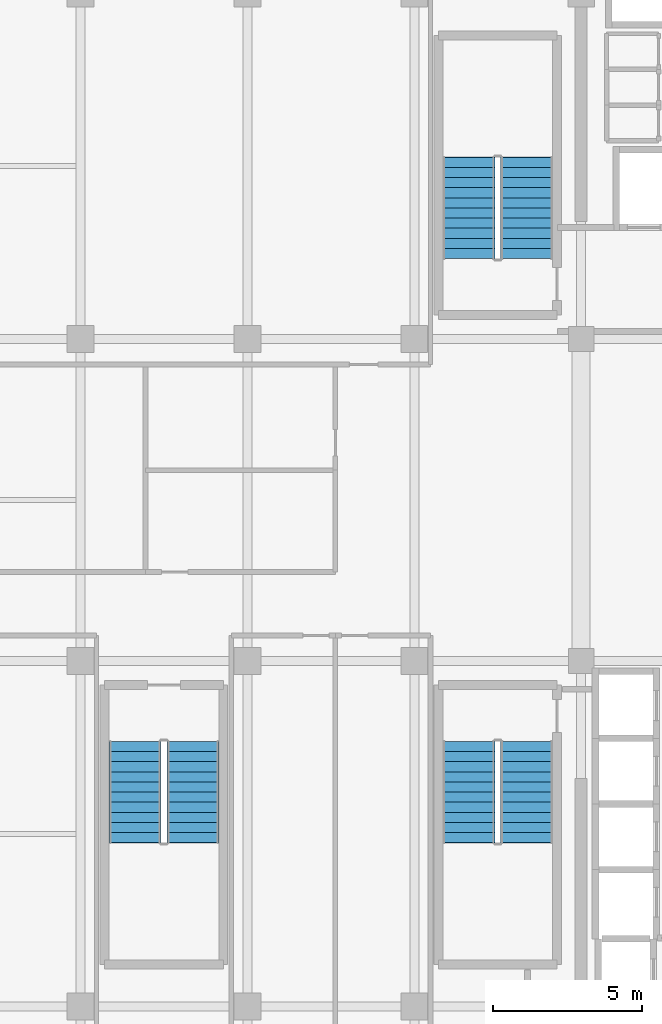
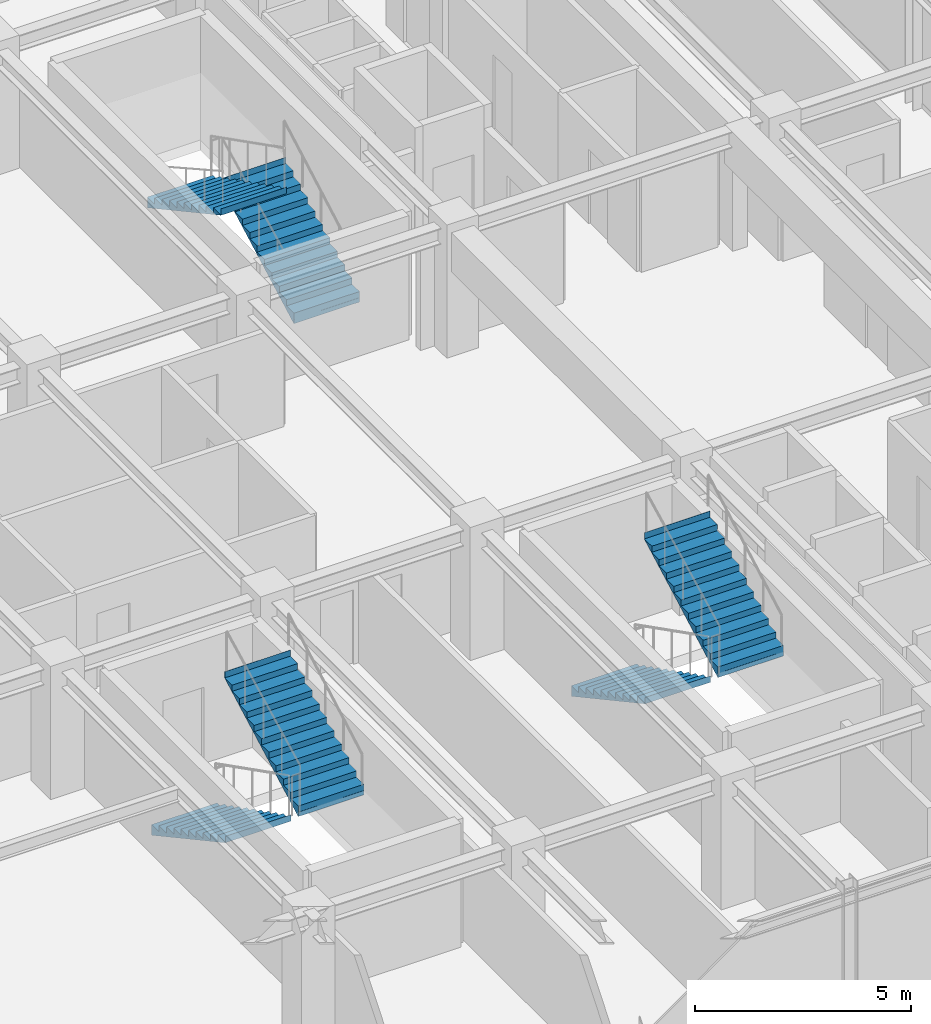
# One storey, part 27 of 31: 6 stair flights, 3 elements without a shape of their own.
"""IFC4 building model written with IfcOpenShell, lengths in metres."""

from ifc_helpers import new_model, si_unit, direction, frame, origin, place, context, subcontext, project, spatial, polyline, outline, extrude, source, transform, mapped, material, layer, layer_set, type_object, element, aggregate, save


model = new_model("IFC4")

# Units and contexts
model_context = context("Model", 3, precision=1e-05, world=origin(), true_north=direction((0.0, 1.0)))
body_context = subcontext(model_context, "Body", "Model", "MODEL_VIEW")
ifc_project = project(units=[si_unit("LENGTHUNIT", "METRE"), si_unit("AREAUNIT", "SQUARE_METRE"), si_unit("VOLUMEUNIT", "CUBIC_METRE"), si_unit("PLANEANGLEUNIT", "RADIAN"), si_unit("MASSUNIT", "GRAM", prefix="KILO")], contexts=[model_context])

# Site, building, storey
site_placement = place(None, origin())
site = spatial("IfcSite", under=ifc_project, at=site_placement, CompositionType="ELEMENT")
building_placement = place(site_placement, origin())
building = spatial("IfcBuilding", under=site, at=building_placement, Name="Nahalor Promenade Grand Hotel", CompositionType="ELEMENT")
storey_placement = place(building_placement, frame((0.0, 0.0, 327.14990234375)))
storey = spatial("IfcBuildingStorey", under=building, at=storey_placement, Name="L84", CompositionType="ELEMENT", Elevation=327.14990234375)

# Stair, stair flights
ifc_material = material(Name="Concrete B-50 (C40/50)", Category="concrete")
stair_type_1 = type_object("IfcStairType", Name="Stair-ST1", PredefinedType="HALF_TURN_STAIR", material=ifc_material)
stair_1_placement = place(storey_placement, origin())
stair_1 = element("IfcStair", 1, at=stair_1_placement, inside=storey, type_object=stair_type_1, Name="L84 ST1", PredefinedType="HALF_TURN_STAIR")
ifc_layer_1 = layer(ifc_material, 0.179931640625)
ifc_layer_set_1 = layer_set([ifc_layer_1], Name="Concrete B-50 (C40/50)")
stair_flight_type_1 = type_object("IfcStairFlightType", Name="Flight-ST1", PredefinedType="STRAIGHT", material=ifc_layer_set_1)
shared_shape_1 = source(origin(), body_context, "Body", "SweptSolid", [
    extrude(outline(polyline([(-0.00390625, -0.1201171875), (-0.00390625, 0.0), (0.0, 0.0), (0.0, 0.172607421875), (0.340087890625, 0.172607421875), (0.340087890625, 0.345458984375), (0.679931640625, 0.345458984375), (0.679931640625, 0.51806640625), (1.02001953125, 0.51806640625), (1.02001953125, 0.69091796875), (1.360107421875, 0.69091796875), (1.360107421875, 0.863525390625), (1.699951171875, 0.863525390625), (1.699951171875, 1.036376953125), (2.0400390625, 1.036376953125), (2.0400390625, 1.208984375), (2.3798828125, 1.208984375), (2.3798828125, 1.3818359375), (2.719970703125, 1.3818359375), (2.719970703125, 1.554443359375), (3.06005859375, 1.554443359375), (3.06005859375, 1.727294921875), (3.39990234375, 1.727294921875), (3.39990234375, 1.89990234375), (3.404052734375, 1.89990234375), (3.404052734375, 1.719970703125), (0.02001953125, -0.1201171875), (-0.00390625, -0.1201171875)])), frame((0.0, 0.875, 0.0), z_axis=(0.0, -1.0, 0.0), x_axis=(1.0, 0.0, 0.0)), (0.0, 0.0, 1.0), 1.75),
])
stair_flight_1_placement = place(storey_placement, frame((6.574951171875, 8.10009765625, 0.0), z_axis=(0.0, 0.0, 1.0), x_axis=(0.0, 1.0, 0.0)))
stair_flight_1 = element("IfcStairFlight", 2, at=stair_flight_1_placement, type_object=stair_flight_type_1, Name="ST1 flight 1", NumberOfRisers=11, NumberOfTreads=10, PredefinedType="STRAIGHT", RiserHeight=0.172727273, TreadLength=0.34, context=body_context, shape_type="MappedRepresentation", body=[
    mapped(shared_shape_1, transform((0.0, 0.0, 0.0), scale=1.0)),
])
stair_flight_2_placement = place(storey_placement, frame((4.625, 11.5, 1.900146484375), z_axis=(0.0, 0.0, 1.0), x_axis=(0.0, -1.0, 0.0)))
stair_flight_2 = element("IfcStairFlight", 3, at=stair_flight_2_placement, type_object=stair_flight_type_1, Name="ST1 flight 2", NumberOfRisers=11, NumberOfTreads=10, PredefinedType="STRAIGHT", RiserHeight=0.172727273, TreadLength=0.34, context=body_context, shape_type="MappedRepresentation", body=[
    mapped(shared_shape_1, transform((0.0, 0.0, 0.0), scale=1.0)),
])
aggregate(stair_1, [stair_flight_1, stair_flight_2])

stair_type_2 = type_object("IfcStairType", Name="Stair-ST2", PredefinedType="HALF_TURN_STAIR", material=ifc_material)
stair_2_placement = place(storey_placement, origin())
stair_2 = element("IfcStair", 4, at=stair_2_placement, inside=storey, type_object=stair_type_2, Name="L84 ST2", PredefinedType="HALF_TURN_STAIR")
ifc_layer_2 = layer(ifc_material, 0.18994140625)
ifc_layer_set_2 = layer_set([ifc_layer_2], Name="Concrete B-50 (C40/50)")
stair_flight_type_2 = type_object("IfcStairFlightType", Name="Flight-ST2", PredefinedType="STRAIGHT", material=ifc_layer_set_2)
shared_shape_2 = source(origin(), body_context, "Body", "SweptSolid", [
    extrude(outline(polyline([(-0.00390625, -0.1201171875), (-0.00390625, 0.0), (0.0, 0.0), (0.0, 0.172607421875), (0.340087890625, 0.172607421875), (0.340087890625, 0.345458984375), (0.679931640625, 0.345458984375), (0.679931640625, 0.51806640625), (1.02001953125, 0.51806640625), (1.02001953125, 0.69091796875), (1.360107421875, 0.69091796875), (1.360107421875, 0.863525390625), (1.699951171875, 0.863525390625), (1.699951171875, 1.036376953125), (2.0400390625, 1.036376953125), (2.0400390625, 1.208984375), (2.3798828125, 1.208984375), (2.3798828125, 1.3818359375), (2.719970703125, 1.3818359375), (2.719970703125, 1.554443359375), (3.06005859375, 1.554443359375), (3.06005859375, 1.727294921875), (3.39990234375, 1.727294921875), (3.39990234375, 1.89990234375), (3.404052734375, 1.89990234375), (3.404052734375, 1.719970703125), (0.02001953125, -0.1201171875), (-0.00390625, -0.1201171875)])), frame((0.0, 0.875, 0.0), z_axis=(0.0, -1.0, 0.0), x_axis=(1.0, 0.0, 0.0)), (0.0, 0.0, 1.0), 1.75),
])
stair_flight_3_placement = place(storey_placement, frame((4.625, -8.10009765625, 0.0), z_axis=(0.0, 0.0, 1.0), x_axis=(0.0, -1.0, 0.0)))
stair_flight_3 = element("IfcStairFlight", 5, at=stair_flight_3_placement, type_object=stair_flight_type_2, Name="ST2 flight 1", NumberOfRisers=11, NumberOfTreads=10, PredefinedType="STRAIGHT", RiserHeight=0.172727273, TreadLength=0.34, context=body_context, shape_type="MappedRepresentation", body=[
    mapped(shared_shape_2, transform((0.0, 0.0, 0.0), scale=1.0)),
])
stair_flight_4_placement = place(storey_placement, frame((6.574951171875, -11.5, 1.900146484375), z_axis=(0.0, 0.0, 1.0), x_axis=(0.0, 1.0, 0.0)))
stair_flight_4 = element("IfcStairFlight", 6, at=stair_flight_4_placement, type_object=stair_flight_type_2, Name="ST2 flight 2", NumberOfRisers=11, NumberOfTreads=10, PredefinedType="STRAIGHT", RiserHeight=0.172727273, TreadLength=0.34, context=body_context, shape_type="MappedRepresentation", body=[
    mapped(shared_shape_2, transform((0.0, 0.0, 0.0), scale=1.0)),
])
aggregate(stair_2, [stair_flight_3, stair_flight_4])

stair_type_3 = type_object("IfcStairType", Name="Stair-ST3", PredefinedType="HALF_TURN_STAIR", material=ifc_material)
stair_3_placement = place(storey_placement, origin())
stair_3 = element("IfcStair", 7, at=stair_3_placement, inside=storey, type_object=stair_type_3, Name="L84 ST3", PredefinedType="HALF_TURN_STAIR")
ifc_layer_3 = layer(ifc_material, 0.199951171875)
ifc_layer_set_3 = layer_set([ifc_layer_3], Name="Concrete B-50 (C40/50)")
stair_flight_type_3 = type_object("IfcStairFlightType", Name="Flight-ST3", PredefinedType="STRAIGHT", material=ifc_layer_set_3)
shared_shape_3 = source(origin(), body_context, "Body", "SweptSolid", [
    extrude(outline(polyline([(-0.00390625, -0.1201171875), (-0.00390625, 0.0), (0.0, 0.0), (0.0, 0.172607421875), (0.340087890625, 0.172607421875), (0.340087890625, 0.345458984375), (0.679931640625, 0.345458984375), (0.679931640625, 0.51806640625), (1.02001953125, 0.51806640625), (1.02001953125, 0.69091796875), (1.360107421875, 0.69091796875), (1.360107421875, 0.863525390625), (1.699951171875, 0.863525390625), (1.699951171875, 1.036376953125), (2.0400390625, 1.036376953125), (2.0400390625, 1.208984375), (2.3798828125, 1.208984375), (2.3798828125, 1.3818359375), (2.719970703125, 1.3818359375), (2.719970703125, 1.554443359375), (3.06005859375, 1.554443359375), (3.06005859375, 1.727294921875), (3.39990234375, 1.727294921875), (3.39990234375, 1.89990234375), (3.404052734375, 1.89990234375), (3.404052734375, 1.719970703125), (0.02001953125, -0.1201171875), (-0.00390625, -0.1201171875)])), frame((0.0, 0.875, 0.0), z_axis=(0.0, -1.0, 0.0), x_axis=(1.0, 0.0, 0.0)), (0.0, 0.0, 1.0), 1.75),
])
stair_flight_5_placement = place(storey_placement, frame((-6.574951171875, -8.10009765625, 0.0), z_axis=(0.0, 0.0, 1.0), x_axis=(0.0, -1.0, 0.0)))
stair_flight_5 = element("IfcStairFlight", 8, at=stair_flight_5_placement, type_object=stair_flight_type_3, Name="ST3 flight 1", NumberOfRisers=11, NumberOfTreads=10, PredefinedType="STRAIGHT", RiserHeight=0.172727273, TreadLength=0.34, context=body_context, shape_type="MappedRepresentation", body=[
    mapped(shared_shape_3, transform((0.0, 0.0, 0.0), scale=1.0)),
])
stair_flight_6_placement = place(storey_placement, frame((-4.625, -11.5, 1.900146484375), z_axis=(0.0, 0.0, 1.0), x_axis=(0.0, 1.0, 0.0)))
stair_flight_6 = element("IfcStairFlight", 9, at=stair_flight_6_placement, type_object=stair_flight_type_3, Name="ST3 flight 2", NumberOfRisers=11, NumberOfTreads=10, PredefinedType="STRAIGHT", RiserHeight=0.172727273, TreadLength=0.34, context=body_context, shape_type="MappedRepresentation", body=[
    mapped(shared_shape_3, transform((0.0, 0.0, 0.0), scale=1.0)),
])
aggregate(stair_3, [stair_flight_5, stair_flight_6])

save(model, "model.ifc")
